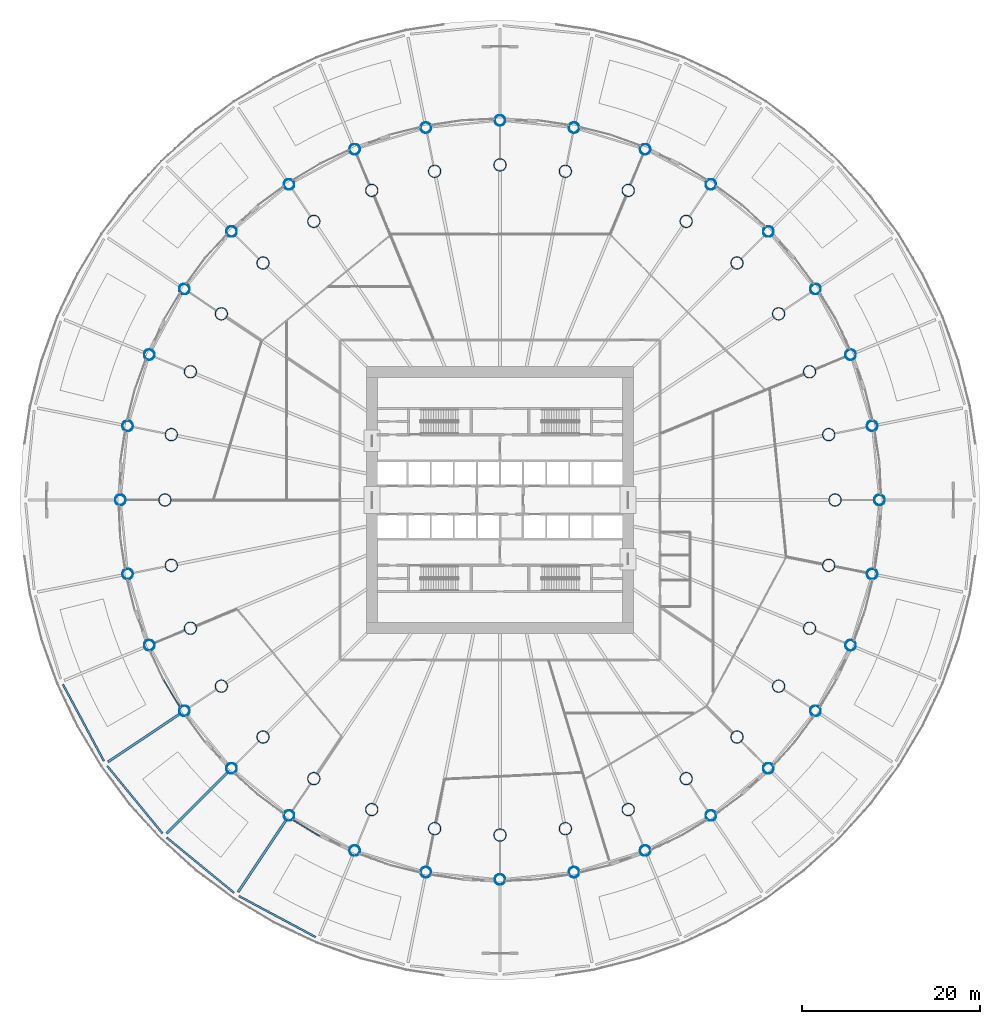
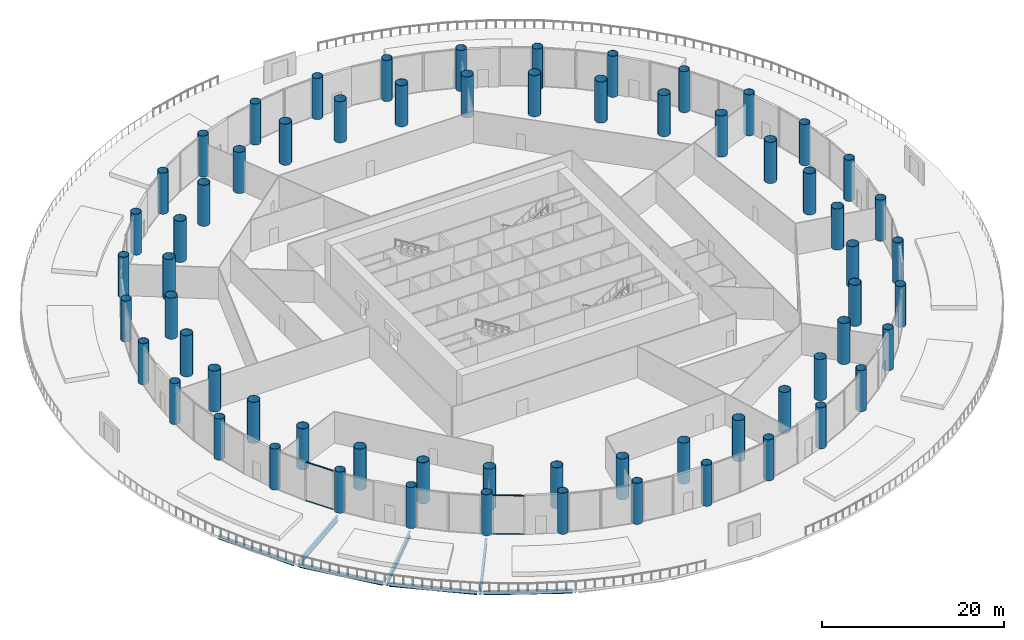
# One storey, part 1 of 36: 64 columns, 7 beams, 4 members, 2 elements without a shape of their own.
"""IFC4 building model written with IfcOpenShell, lengths in metres."""

from ifc_helpers import new_model, si_unit, direction, frame, origin, origin_2d, place, context, subcontext, project, spatial, rectangle, hollow_circle, i_section, extrude, material, material_profile, profile_set, type_object, element, aggregate, save


model = new_model("IFC4")

# Units and contexts
model_context = context("Model", 3, precision=1e-05, world=origin(), true_north=direction((0.0, 1.0)))
body_context = subcontext(model_context, "Body", "Model", "MODEL_VIEW")
ifc_project = project(units=[si_unit("LENGTHUNIT", "METRE"), si_unit("AREAUNIT", "SQUARE_METRE"), si_unit("VOLUMEUNIT", "CUBIC_METRE"), si_unit("PLANEANGLEUNIT", "RADIAN"), si_unit("MASSUNIT", "GRAM", prefix="KILO")], contexts=[model_context])

# Site, building, storey
site_placement = place(None, origin())
site = spatial("IfcSite", under=ifc_project, at=site_placement, CompositionType="ELEMENT")
building_placement = place(site_placement, origin())
building = spatial("IfcBuilding", under=site, at=building_placement, Name="Corvane Civic Tower", CompositionType="ELEMENT")
storey_placement = place(building_placement, frame((0.0, 0.0, 6.0)))
storey = spatial("IfcBuildingStorey", under=building, at=storey_placement, Name="L01", CompositionType="ELEMENT", Elevation=6.0)

# Columns
ifc_material_1 = material(Name="Steel ASTM A572 Gr 50", Category="steel")
ifc_material_profile_1 = material_profile(ifc_material_1, hollow_circle(Radius=0.60009765625, WallThickness=0.035888671875, at=origin_2d()), Name="CHS1200X36")
ifc_profile_set_1 = profile_set([ifc_material_profile_1], Name="Steel ASTM A572 Gr 50")
column_type_1 = type_object("IfcColumnType", Name="COMPOSITE COLUMN CHS1200X36", PredefinedType="COLUMN", material=ifc_profile_set_1)
for number, where, z_axis, x_axis, name in (
    (1, (0.0, 42.699951171875, 0.0), (0.0, 0.0, 1.0), (1.0, 0.0, 0.0), "COL-L01-G01"),
    (2, (8.330322265625, 41.879638671875, 0.0), (0.0, 0.0, 1.0), (1.0, 0.0, 0.0), "COL-L01-G02"),
    (3, (16.340576171875, 39.44970703125, 0.0), (0.0, 0.0, 1.0), (1.0, 0.0, 0.0), "COL-L01-G03"),
    (4, (23.722900390625, 35.503662109375, 0.0), (0.0, 0.0, 1.0), (1.0, 0.0, 0.0), "COL-L01-G04"),
    (5, (30.193359375, 30.193359375, 0.0), (0.0, 0.0, 1.0), (1.0, 0.0, 0.0), "COL-L01-G05"),
    (6, (35.503662109375, 23.722900390625, 0.0), (0.0, 0.0, 1.0), (1.0, 0.0, 0.0), "COL-L01-G06"),
    (7, (39.44970703125, 16.340576171875, 0.0), (0.0, 0.0, 1.0), (1.0, 0.0, 0.0), "COL-L01-G07"),
    (8, (41.879638671875, 8.330322265625, 0.0), (0.0, 0.0, 1.0), (1.0, 0.0, 0.0), "COL-L01-G08"),
    (9, (42.699951171875, 0.0, 0.0), (0.0, 0.0, 1.0), (1.0, 0.0, 0.0), "COL-L01-G09"),
    (10, (41.879638671875, -8.330322265625, 0.0), (0.0, 0.0, 1.0), (1.0, 0.0, 0.0), "COL-L01-G10"),
    (11, (39.44970703125, -16.340576171875, 0.0), (0.0, 0.0, 1.0), (1.0, 0.0, 0.0), "COL-L01-G11"),
    (12, (35.503662109375, -23.722900390625, 0.0), (0.0, 0.0, 1.0), (1.0, 0.0, 0.0), "COL-L01-G12"),
    (13, (30.193359375, -30.193359375, 0.0), (0.0, 0.0, 1.0), (1.0, 0.0, 0.0), "COL-L01-G13"),
    (14, (23.722900390625, -35.503662109375, 0.0), (0.0, 0.0, 1.0), (1.0, 0.0, 0.0), "COL-L01-G14"),
    (15, (16.340576171875, -39.44970703125, 0.0), (0.0, 0.0, 1.0), (1.0, 0.0, 0.0), "COL-L01-G15"),
    (16, (8.330322265625, -41.879638671875, 0.0), (0.0, 0.0, 1.0), (1.0, 0.0, 0.0), "COL-L01-G16"),
    (17, (0.0, -42.699951171875, 0.0), (0.0, 0.0, 1.0), (1.0, 0.0, 0.0), "COL-L01-G17"),
    (18, (-8.330322265625, -41.879638671875, 0.0), (0.0, 0.0, 1.0), (1.0, 0.0, 0.0), "COL-L01-G18"),
    (19, (-16.340576171875, -39.44970703125, 0.0), (0.0, 0.0, 1.0), (1.0, 0.0, 0.0), "COL-L01-G19"),
    (20, (-23.722900390625, -35.503662109375, 0.0), (0.0, 0.0, 1.0), (1.0, 0.0, 0.0), "COL-L01-G20"),
    (21, (-30.193359375, -30.193359375, 0.0), (0.0, 0.0, 1.0), (1.0, 0.0, 0.0), "COL-L01-G21"),
    (22, (-35.503662109375, -23.722900390625, 0.0), (0.0, 0.0, 1.0), (1.0, 0.0, 0.0), "COL-L01-G22"),
    (23, (-39.44970703125, -16.340576171875, 0.0), (0.0, 0.0, 1.0), (1.0, 0.0, 0.0), "COL-L01-G23"),
    (24, (-41.879638671875, -8.330322265625, 0.0), (0.0, 0.0, 1.0), (1.0, 0.0, 0.0), "COL-L01-G24"),
    (25, (-42.699951171875, 0.0, 0.0), (0.0, 0.0, 1.0), (1.0, 0.0, 0.0), "COL-L01-G25"),
    (26, (-41.879638671875, 8.330322265625, 0.0), (0.0, 0.0, 1.0), (1.0, 0.0, 0.0), "COL-L01-G26"),
    (27, (-39.44970703125, 16.340576171875, 0.0), (0.0, 0.0, 1.0), (1.0, 0.0, 0.0), "COL-L01-G27"),
    (28, (-35.503662109375, 23.722900390625, 0.0), (0.0, 0.0, 1.0), (1.0, 0.0, 0.0), "COL-L01-G28"),
    (29, (-30.193359375, 30.193359375, 0.0), (0.0, 0.0, 1.0), (1.0, 0.0, 0.0), "COL-L01-G29"),
    (30, (-23.722900390625, 35.503662109375, 0.0), (0.0, 0.0, 1.0), (1.0, 0.0, 0.0), "COL-L01-G30"),
    (31, (-16.340576171875, 39.44970703125, 0.0), (0.0, 0.0, 1.0), (1.0, 0.0, 0.0), "COL-L01-G31"),
    (32, (-8.330322265625, 41.879638671875, 0.0), (0.0, 0.0, 1.0), (1.0, 0.0, 0.0), "COL-L01-G32"),
):
    element("IfcColumn", number, at=place(storey_placement, frame(where, z_axis=z_axis, x_axis=x_axis)), inside=storey, type_object=column_type_1, Name=name, PredefinedType="COLUMN", context=body_context, shape_type="SweptSolid", body=[
        extrude(hollow_circle(Radius=0.60009765625, WallThickness=0.035888671875, at=origin_2d()), origin(), (0.0, 0.0, 1.0), 5.5),
    ])
ifc_material_2 = material(Name="Steel ASTM A572 Gr 50", Category="steel")
ifc_material_profile_2 = material_profile(ifc_material_2, hollow_circle(Radius=0.699951171875, WallThickness=0.0400390625, at=origin_2d()), Name="CHS1400X40")
ifc_profile_set_2 = profile_set([ifc_material_profile_2], Name="Steel ASTM A572 Gr 50")
column_type_2 = type_object("IfcColumnType", Name="COMPOSITE COLUMN CHS1400X40", PredefinedType="COLUMN", material=ifc_profile_set_2)
for number, where, z_axis, x_axis, name in (
    (33, (0.0, 37.699951171875, 0.0), (0.0, 0.0, 1.0), (1.0, 0.0, 0.0), "COL-L01-A01"),
    (34, (7.35498046875, 36.9755859375, 0.0), (0.0, 0.0, 1.0), (1.0, 0.0, 0.0), "COL-L01-A02"),
    (35, (14.42724609375, 34.830322265625, 0.0), (0.0, 0.0, 1.0), (1.0, 0.0, 0.0), "COL-L01-A03"),
    (36, (20.945068359375, 31.346435546875, 0.0), (0.0, 0.0, 1.0), (1.0, 0.0, 0.0), "COL-L01-A04"),
    (37, (26.657958984375, 26.657958984375, 0.0), (0.0, 0.0, 1.0), (1.0, 0.0, 0.0), "COL-L01-A05"),
    (38, (31.346435546875, 20.945068359375, 0.0), (0.0, 0.0, 1.0), (1.0, 0.0, 0.0), "COL-L01-A06"),
    (39, (34.830322265625, 14.42724609375, 0.0), (0.0, 0.0, 1.0), (1.0, 0.0, 0.0), "COL-L01-A07"),
    (40, (36.9755859375, 7.35498046875, 0.0), (0.0, 0.0, 1.0), (1.0, 0.0, 0.0), "COL-L01-A08"),
    (41, (37.699951171875, 0.0, 0.0), (0.0, 0.0, 1.0), (1.0, 0.0, 0.0), "COL-L01-A09"),
    (42, (36.9755859375, -7.35498046875, 0.0), (0.0, 0.0, 1.0), (1.0, 0.0, 0.0), "COL-L01-A10"),
    (43, (34.830322265625, -14.42724609375, 0.0), (0.0, 0.0, 1.0), (1.0, 0.0, 0.0), "COL-L01-A11"),
    (44, (31.346435546875, -20.945068359375, 0.0), (0.0, 0.0, 1.0), (1.0, 0.0, 0.0), "COL-L01-A12"),
    (45, (26.657958984375, -26.657958984375, 0.0), (0.0, 0.0, 1.0), (1.0, 0.0, 0.0), "COL-L01-A13"),
    (46, (20.945068359375, -31.346435546875, 0.0), (0.0, 0.0, 1.0), (1.0, 0.0, 0.0), "COL-L01-A14"),
    (47, (14.42724609375, -34.830322265625, 0.0), (0.0, 0.0, 1.0), (1.0, 0.0, 0.0), "COL-L01-A15"),
    (48, (7.35498046875, -36.9755859375, 0.0), (0.0, 0.0, 1.0), (1.0, 0.0, 0.0), "COL-L01-A16"),
    (49, (0.0, -37.699951171875, 0.0), (0.0, 0.0, 1.0), (1.0, 0.0, 0.0), "COL-L01-A17"),
    (50, (-7.35498046875, -36.9755859375, 0.0), (0.0, 0.0, 1.0), (1.0, 0.0, 0.0), "COL-L01-A18"),
    (51, (-14.42724609375, -34.830322265625, 0.0), (0.0, 0.0, 1.0), (1.0, 0.0, 0.0), "COL-L01-A19"),
    (52, (-20.945068359375, -31.346435546875, 0.0), (0.0, 0.0, 1.0), (1.0, 0.0, 0.0), "COL-L01-A20"),
    (53, (-26.657958984375, -26.657958984375, 0.0), (0.0, 0.0, 1.0), (1.0, 0.0, 0.0), "COL-L01-A21"),
    (54, (-31.346435546875, -20.945068359375, 0.0), (0.0, 0.0, 1.0), (1.0, 0.0, 0.0), "COL-L01-A22"),
    (55, (-34.830322265625, -14.42724609375, 0.0), (0.0, 0.0, 1.0), (1.0, 0.0, 0.0), "COL-L01-A23"),
    (56, (-36.9755859375, -7.35498046875, 0.0), (0.0, 0.0, 1.0), (1.0, 0.0, 0.0), "COL-L01-A24"),
    (57, (-37.699951171875, 0.0, 0.0), (0.0, 0.0, 1.0), (1.0, 0.0, 0.0), "COL-L01-A25"),
    (58, (-36.9755859375, 7.35498046875, 0.0), (0.0, 0.0, 1.0), (1.0, 0.0, 0.0), "COL-L01-A26"),
    (59, (-34.830322265625, 14.42724609375, 0.0), (0.0, 0.0, 1.0), (1.0, 0.0, 0.0), "COL-L01-A27"),
    (60, (-31.346435546875, 20.945068359375, 0.0), (0.0, 0.0, 1.0), (1.0, 0.0, 0.0), "COL-L01-A28"),
    (61, (-26.657958984375, 26.657958984375, 0.0), (0.0, 0.0, 1.0), (1.0, 0.0, 0.0), "COL-L01-A29"),
    (62, (-20.945068359375, 31.346435546875, 0.0), (0.0, 0.0, 1.0), (1.0, 0.0, 0.0), "COL-L01-A30"),
    (63, (-14.42724609375, 34.830322265625, 0.0), (0.0, 0.0, 1.0), (1.0, 0.0, 0.0), "COL-L01-A31"),
    (64, (-7.35498046875, 36.9755859375, 0.0), (0.0, 0.0, 1.0), (1.0, 0.0, 0.0), "COL-L01-A32"),
):
    element("IfcColumn", number, at=place(storey_placement, frame(where, z_axis=z_axis, x_axis=x_axis)), inside=storey, type_object=column_type_2, Name=name, PredefinedType="COLUMN", context=body_context, shape_type="SweptSolid", body=[
        extrude(hollow_circle(Radius=0.699951171875, WallThickness=0.0400390625, at=origin_2d()), origin(), (0.0, 0.0, 1.0), 5.5),
    ])

# Beams
ifc_material_3 = material(Name="Steel ASTM A992 Gr 50", Category="steel")
ifc_material_profile_3 = material_profile(ifc_material_3, i_section(OverallWidth=0.2666015625, OverallDepth=0.7568359375, WebThickness=0.013916015625, FlangeThickness=0.019287109375, at=origin_2d()), Name="W30X108")
ifc_profile_set_3 = profile_set([ifc_material_profile_3], Name="Steel ASTM A992 Gr 50")
beam_type_1 = type_object("IfcBeamType", Name="DECK BEAM W30X108", PredefinedType="BEAM", material=ifc_profile_set_3)
beam_1_placement = place(storey_placement, frame((-24.0283203125, -35.961181640625, -0.678466796875), z_axis=(-0.555579498385, -0.831463421309, 0.0), x_axis=(0.831463421309, -0.555579498385, 0.0)))
element("IfcBeam", 65, at=beam_1_placement, inside=storey, type_object=beam_type_1, Name="BM-L01-D20", PredefinedType="BEAM", context=body_context, shape_type="SweptSolid", body=[
    extrude(i_section(OverallWidth=0.2666015625, OverallDepth=0.7568359375, WebThickness=0.013916015625, FlangeThickness=0.019287109375, at=origin_2d()), origin(), (0.0, 0.0, 1.0), 9.7998046875),
])
beam_2_placement = place(storey_placement, frame((-30.582275390625, -30.582275390625, -0.678466796875), z_axis=(-0.707106781187, -0.707106781187, 0.0), x_axis=(0.707106781187, -0.707106781187, 0.0)))
element("IfcBeam", 66, at=beam_2_placement, inside=storey, type_object=beam_type_1, Name="BM-L01-D21", PredefinedType="BEAM", context=body_context, shape_type="SweptSolid", body=[
    extrude(i_section(OverallWidth=0.2666015625, OverallDepth=0.7568359375, WebThickness=0.013916015625, FlangeThickness=0.019287109375, at=origin_2d()), origin(), (0.0, 0.0, 1.0), 9.800048828125),
])
beam_3_placement = place(storey_placement, frame((-35.961181640625, -24.0283203125, -0.678466796875), z_axis=(-0.831463421309, -0.555579498385, 0.0), x_axis=(0.555579498385, -0.831463421309, 0.0)))
element("IfcBeam", 67, at=beam_3_placement, inside=storey, type_object=beam_type_1, Name="BM-L01-D22", PredefinedType="BEAM", context=body_context, shape_type="SweptSolid", body=[
    extrude(i_section(OverallWidth=0.2666015625, OverallDepth=0.7568359375, WebThickness=0.013916015625, FlangeThickness=0.019287109375, at=origin_2d()), origin(), (0.0, 0.0, 1.0), 9.7998046875),
])
ifc_material_4 = material(Name="Steel ASTM A992 Gr 50", Category="steel")
ifc_material_profile_4 = material_profile(ifc_material_4, i_section(OverallWidth=0.209228515625, OverallDepth=0.533447265625, WebThickness=0.01025390625, FlangeThickness=0.015625, at=origin_2d()), Name="W21X62")
ifc_profile_set_4 = profile_set([ifc_material_profile_4], Name="Steel ASTM A992 Gr 50")
beam_type_2 = type_object("IfcBeamType", Name="EDGE BEAM W21X62", PredefinedType="BEAM", material=ifc_profile_set_4)
for number, where, z_axis, x_axis, name in (
    (68, (-20.743896484375, -49.170166015625, -0.566650390625), (-0.881924323833, 0.471391012889, 0.0), (-0.471391012889, -0.881924323833, 0.0), "BM-L01-H19"),
    (69, (-29.93798828125, -44.178466796875, -0.566650390625), (-0.773007687357, 0.634396654537, 0.0), (-0.634396654537, -0.773007687357, 0.0), "BM-L01-H20"),
    (70, (-37.9814453125, -37.489013671875, -0.566650390625), (-0.634396654537, 0.773007687357, 0.0), (-0.773007687357, -0.634396654537, 0.0), "BM-L01-H21"),
    (71, (-44.5654296875, -29.35888671875, -0.566650390625), (-0.471391012889, 0.881924323833, 0.0), (-0.881924323833, -0.471391012889, 0.0), "BM-L01-H22"),
):
    element("IfcBeam", number, at=place(storey_placement, frame(where, z_axis=z_axis, x_axis=x_axis)), inside=storey, type_object=beam_type_2, Name=name, PredefinedType="BEAM", context=body_context, shape_type="SweptSolid", body=[
        extrude(i_section(OverallWidth=0.209228515625, OverallDepth=0.533447265625, WebThickness=0.01025390625, FlangeThickness=0.015625, at=origin_2d()), origin(), (0.0, 0.0, 1.0), 9.768310546875),
    ])

# Curtain wall, members
ifc_material_5 = material(Name="Aluminium and glass", Category="aluminium")
curtain_wall_type = type_object("IfcCurtainWallType", Name="PODIUM-CW-P-RUN", PredefinedType="NOTDEFINED", material=ifc_material_5)
curtain_wall_1_placement = place(storey_placement, origin())
curtain_wall_1 = element("IfcCurtainWall", 72, at=curtain_wall_1_placement, inside=storey, type_object=curtain_wall_type, Name="PODI run L01-drum-19B", PredefinedType="NOTDEFINED")
ifc_material_6 = material(Name="Anodised aluminium bronze", Category="aluminium")
ifc_material_profile_5 = material_profile(ifc_material_6, rectangle(XDim=0.1201171875, YDim=0.06005859375, at=origin_2d()), Name="AL 120x60")
ifc_profile_set_5 = profile_set([ifc_material_profile_5], Name="Anodised aluminium bronze")
member_type = type_object("IfcMemberType", Name="PODIUM-CWP-TRANSOM-60x120", PredefinedType="USERDEFINED", material=ifc_profile_set_5)
member_1_placement = place(storey_placement, frame((-20.29248046875, -37.80419921875, 0.030029296875), z_axis=(-0.857723234181, 0.514111713099, 0.0), x_axis=(-0.514111713099, -0.857723234181, 0.0)))
member_1 = element("IfcMember", 73, at=member_1_placement, type_object=member_type, Name="CW-P transom 1.1", ObjectType="TRANSOM", PredefinedType="USERDEFINED", context=body_context, shape_type="SweptSolid", body=[
    extrude(rectangle(XDim=0.1201171875, YDim=0.06005859375, at=origin_2d()), origin(), (0.0, 0.0, 1.0), 3.45947265625),
])
member_2_placement = place(storey_placement, frame((-20.29248046875, -37.80419921875, 5.169921875), z_axis=(-0.857723234181, 0.514111713099, 0.0), x_axis=(-0.514111713099, -0.857723234181, 0.0)))
member_2 = element("IfcMember", 74, at=member_2_placement, type_object=member_type, Name="CW-P transom 1.2", ObjectType="TRANSOM", PredefinedType="USERDEFINED", context=body_context, shape_type="SweptSolid", body=[
    extrude(rectangle(XDim=0.1201171875, YDim=0.06005859375, at=origin_2d()), origin(), (0.0, 0.0, 1.0), 3.45947265625),
])
aggregate(curtain_wall_1, [member_1, member_2])

curtain_wall_2_placement = place(storey_placement, origin())
curtain_wall_2 = element("IfcCurtainWall", 75, at=curtain_wall_2_placement, inside=storey, type_object=curtain_wall_type, Name="PODI run L01-drum-22A", PredefinedType="NOTDEFINED")
member_3_placement = place(storey_placement, frame((-36.025634765625, -23.259765625, 0.030029296875), z_axis=(-0.514111713099, 0.857723234181, 0.0), x_axis=(-0.857723234181, -0.514111713099, 0.0)))
member_3 = element("IfcMember", 76, at=member_3_placement, type_object=member_type, Name="CW-P transom 1.1", ObjectType="TRANSOM", PredefinedType="USERDEFINED", context=body_context, shape_type="SweptSolid", body=[
    extrude(rectangle(XDim=0.1201171875, YDim=0.06005859375, at=origin_2d()), origin(), (0.0, 0.0, 1.0), 3.45947265625),
])
member_4_placement = place(storey_placement, frame((-36.025634765625, -23.259765625, 5.169921875), z_axis=(-0.514111713099, 0.857723234181, 0.0), x_axis=(-0.857723234181, -0.514111713099, 0.0)))
member_4 = element("IfcMember", 77, at=member_4_placement, type_object=member_type, Name="CW-P transom 1.2", ObjectType="TRANSOM", PredefinedType="USERDEFINED", context=body_context, shape_type="SweptSolid", body=[
    extrude(rectangle(XDim=0.1201171875, YDim=0.06005859375, at=origin_2d()), origin(), (0.0, 0.0, 1.0), 3.45947265625),
])
aggregate(curtain_wall_2, [member_3, member_4])

save(model, "model.ifc")
